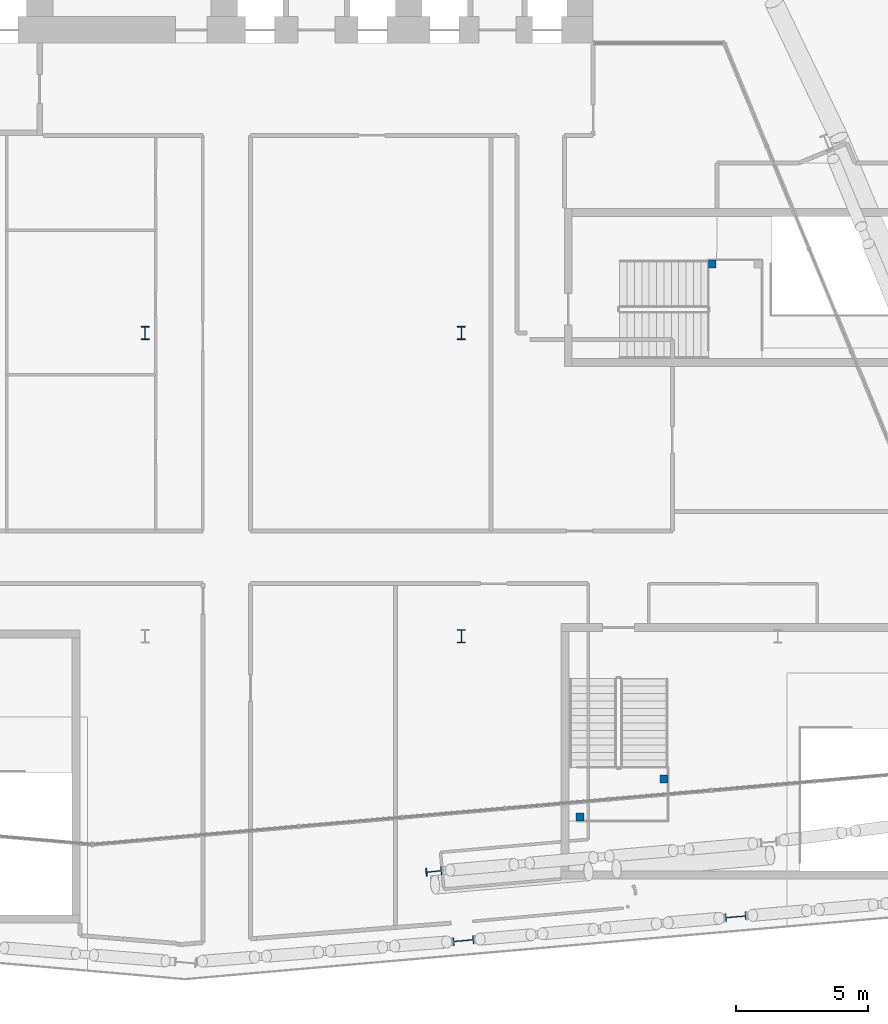
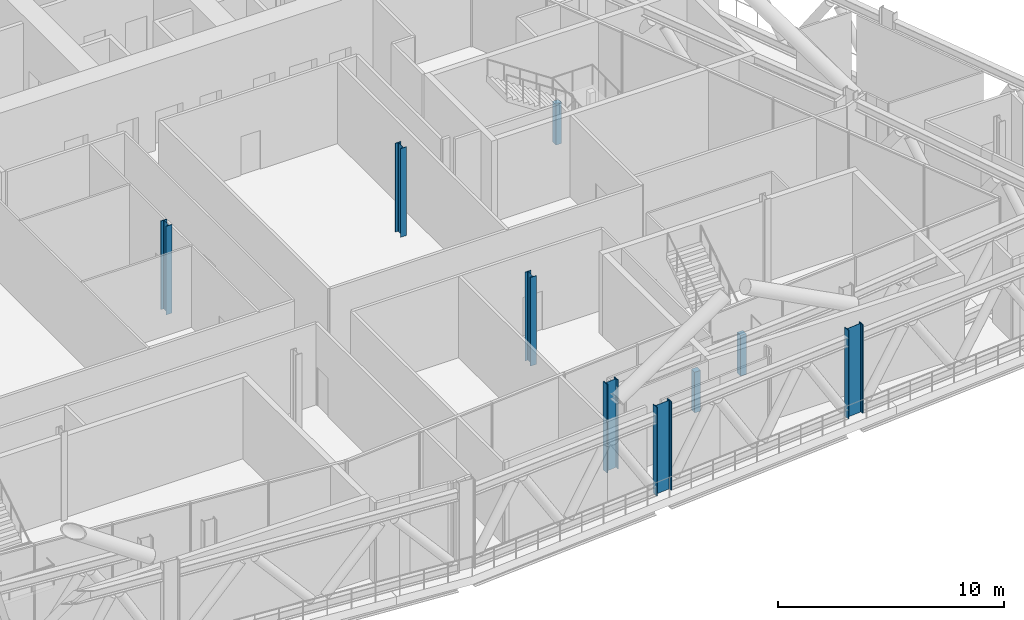
# One storey, part 2 of 42: 9 columns.
"""IFC4 building model written with IfcOpenShell, lengths in metres."""

from ifc_helpers import new_model, si_unit, direction, frame, origin, origin_2d, place, context, subcontext, project, spatial, rectangle, i_section, extrude, material, material_profile, profile_set, type_object, element, save


model = new_model("IFC4")

# Units and contexts
model_context = context("Model", 3, precision=1e-05, world=origin(), true_north=direction((0.0, 1.0)))
body_context = subcontext(model_context, "Body", "Model", "MODEL_VIEW")
ifc_project = project(units=[si_unit("LENGTHUNIT", "METRE"), si_unit("AREAUNIT", "SQUARE_METRE"), si_unit("VOLUMEUNIT", "CUBIC_METRE"), si_unit("PLANEANGLEUNIT", "RADIAN"), si_unit("MASSUNIT", "GRAM", prefix="KILO")], contexts=[model_context])

# Site, building, storey
site_placement = place(None, origin())
site = spatial("IfcSite", under=ifc_project, at=site_placement, CompositionType="ELEMENT")
building_placement = place(site_placement, origin())
building = spatial("IfcBuilding", under=site, at=building_placement, Name="Wharfspan Tower", CompositionType="ELEMENT")
storey_placement = place(building_placement, frame((0.0, 0.0, 147.100098)))
storey = spatial("IfcBuildingStorey", under=building, at=storey_placement, Name="L35", CompositionType="ELEMENT", Elevation=147.100098)

# Columns
ifc_material_1 = material(Name="Steel S355J2", Category="steel")
ifc_material_profile_1 = material_profile(ifc_material_1, i_section(OverallWidth=0.300049, OverallDepth=0.5, WebThickness=0.014404, FlangeThickness=0.028076, FilletRadius=0.0271, at=origin_2d()))
ifc_profile_set_1 = profile_set([ifc_material_profile_1], Name="Steel S355J2")
column_type_1 = type_object("IfcColumnType", Name="Column HEB 500", PredefinedType="COLUMN", material=ifc_profile_set_1)
for number, where, z_axis, x_axis, name in (
    (1, (60.0, 11.5, 0.0), (0.0, 0.0, 1.0), (1.0, 0.0, 0.0), "Interior column I.1.4 L35"),
    (2, (48.0, 23.0, 0.0), (0.0, 0.0, 1.0), (1.0, 0.0, 0.0), "Interior column I.2.3 L35"),
    (3, (60.0, 23.0, 0.0), (0.0, 0.0, 1.0), (1.0, 0.0, 0.0), "Interior column I.2.4 L35"),
):
    element("IfcColumn", number, at=place(storey_placement, frame(where, z_axis=z_axis, x_axis=x_axis)), inside=storey, type_object=column_type_1, Name=name, PredefinedType="COLUMN", context=body_context, shape_type="SweptSolid", body=[
        extrude(i_section(OverallWidth=0.300049, OverallDepth=0.5, WebThickness=0.014404, FlangeThickness=0.028076, FilletRadius=0.0271, at=origin_2d()), origin(), (0.0, 0.0, 1.0), 4.799805),
    ])
ifc_material_profile_2 = material_profile(ifc_material_1, i_section(OverallWidth=0.304932, OverallDepth=0.620117, WebThickness=0.020996, FlangeThickness=0.040039, FilletRadius=0.0271, at=origin_2d()))
ifc_profile_set_2 = profile_set([ifc_material_profile_2], Name="Steel S355J2")
column_type_2 = type_object("IfcColumnType", Name="Column HEM 600", PredefinedType="COLUMN", material=ifc_profile_set_2)
column_placement = place(storey_placement, frame((58.960693, 2.573486, 0.0), z_axis=(0.0, 0.0, 1.0), x_axis=(0.087156, -0.996198, 0.0)))
element("IfcColumn", 4, at=column_placement, inside=storey, type_object=column_type_2, Name="Perimeter column PS2.1 L35", PredefinedType="COLUMN", context=body_context, shape_type="SweptSolid", body=[
    extrude(i_section(OverallWidth=0.304932, OverallDepth=0.620117, WebThickness=0.020996, FlangeThickness=0.040039, FilletRadius=0.0271, at=origin_2d()), origin(), (0.0, 0.0, 1.0), 4.799805),
])
ifc_material_profile_3 = material_profile(ifc_material_1, i_section(OverallWidth=0.302979, OverallDepth=0.813965, WebThickness=0.020996, FlangeThickness=0.040039, FilletRadius=0.030029, at=origin_2d()))
ifc_profile_set_3 = profile_set([ifc_material_profile_3], Name="Steel S355J2")
column_type_3 = type_object("IfcColumnType", Name="Column HEM 800", PredefinedType="COLUMN", material=ifc_profile_set_3)
for number, where, z_axis, x_axis, name in (
    (5, (60.077881, -0.050781, 0.0), (0.0, 0.0, 1.0), (0.087156, -0.996198, 0.0), "Perimeter column PS2.1.S L35"),
    (6, (70.404053, 0.852783, 0.0), (0.0, 0.0, 1.0), (0.087156, -0.996198, 0.0), "Perimeter column PS2.2.S L35"),
):
    element("IfcColumn", number, at=place(storey_placement, frame(where, z_axis=z_axis, x_axis=x_axis)), inside=storey, type_object=column_type_3, Name=name, PredefinedType="COLUMN", context=body_context, shape_type="SweptSolid", body=[
        extrude(i_section(OverallWidth=0.302979, OverallDepth=0.813965, WebThickness=0.020996, FlangeThickness=0.040039, FilletRadius=0.030029, at=origin_2d()), origin(), (0.0, 0.0, 1.0), 4.799805),
    ])
ifc_material_2 = material(Name="Concrete C40/50", Category="concrete")
ifc_material_profile_4 = material_profile(ifc_material_2, rectangle(XDim=0.300049, YDim=0.300049, at=origin_2d()))
ifc_profile_set_4 = profile_set([ifc_material_profile_4], Name="Concrete C40/50")
column_type_4 = type_object("IfcColumnType", Name="Landing pier 300 C40/50", PredefinedType="COLUMN", material=ifc_profile_set_4)
for number, where, z_axis, x_axis, name in (
    (7, (64.501953, 4.634033, 0.0), (0.0, 0.0, 1.0), (1.0, 0.0, 0.0), "ST5 landing pier L35"),
    (8, (67.686035, 6.083984, 0.0), (0.0, 0.0, 1.0), (1.0, 0.0, 0.0), "ST5 landing pier L35"),
    (9, (69.514893, 25.625, 0.0), (0.0, 0.0, 1.0), (1.0, 0.0, 0.0), "ST6 landing pier L35"),
):
    element("IfcColumn", number, at=place(storey_placement, frame(where, z_axis=z_axis, x_axis=x_axis)), inside=storey, type_object=column_type_4, Name=name, PredefinedType="COLUMN", context=body_context, shape_type="SweptSolid", body=[
        extrude(rectangle(XDim=0.300049, YDim=0.300049, at=origin_2d()), origin(), (0.0, 0.0, 1.0), 2.199951),
    ])

save(model, "model.ifc")
